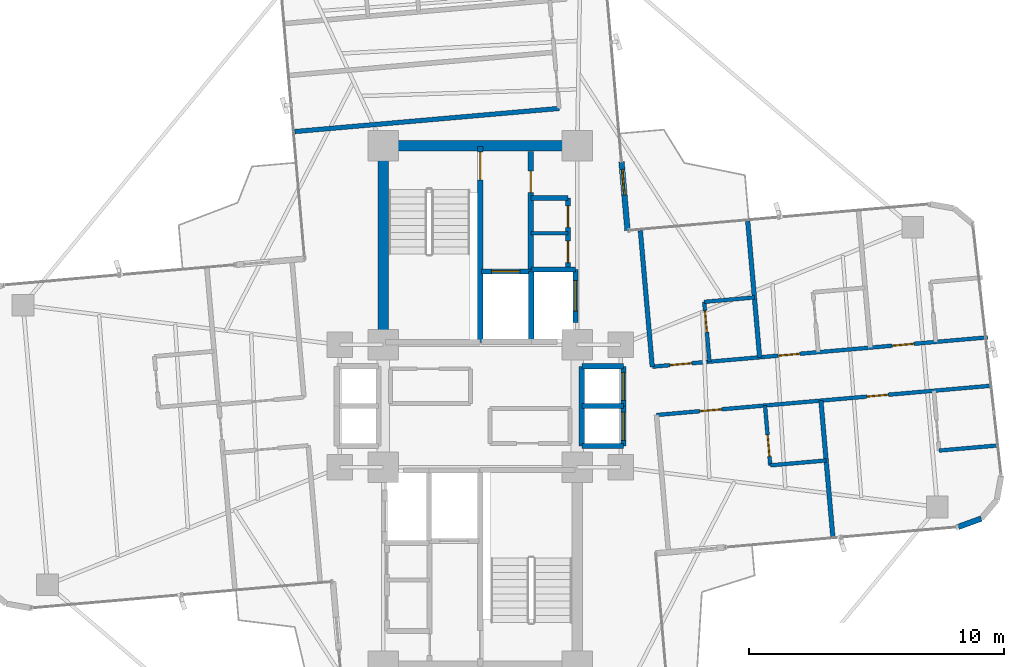
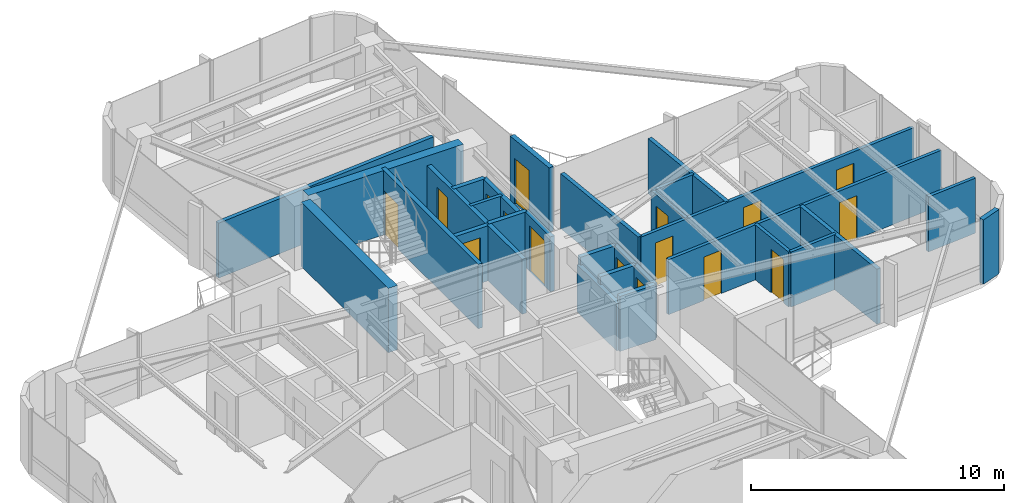
# One storey, part 22 of 24: 30 walls, 16 doors, 16 openings.
"""IFC4 building model written with IfcOpenShell, lengths in metres."""

from ifc_helpers import new_model, si_unit, direction, frame, frame_2d, origin, origin_2d, place, context, subcontext, project, spatial, rectangle, extrude, source, transform, mapped, material, layer, layer_set, type_object, element, fill, save


model = new_model("IFC4")

# Units and contexts
model_context = context("Model", 3, precision=1e-05, world=origin(), true_north=direction((0.0, 1.0)))
body_context = subcontext(model_context, "Body", "Model", "MODEL_VIEW")
ifc_project = project(units=[si_unit("LENGTHUNIT", "METRE"), si_unit("AREAUNIT", "SQUARE_METRE"), si_unit("VOLUMEUNIT", "CUBIC_METRE"), si_unit("PLANEANGLEUNIT", "RADIAN"), si_unit("MASSUNIT", "GRAM", prefix="KILO")], contexts=[model_context])

# Site, building, storey
site_placement = place(None, origin())
site = spatial("IfcSite", under=ifc_project, at=site_placement, CompositionType="ELEMENT")
building_placement = place(site_placement, origin())
building = spatial("IfcBuilding", under=site, at=building_placement, Name="Sahyath Konkavel Grand Hotel", CompositionType="ELEMENT")
storey_placement = place(building_placement, frame((0.0, 0.0, 191.949951171875)))
storey = spatial("IfcBuildingStorey", under=building, at=storey_placement, Name="L53", CompositionType="ELEMENT", Elevation=191.949951171875)

# Walls
ifc_material_1 = material(Name="Concrete C50/60", Category="concrete")
ifc_layer_1 = layer(ifc_material_1, 0.419921875)
ifc_layer_set_1 = layer_set([ifc_layer_1], Name="Concrete C50/60")
wall_type_1 = type_object("IfcWallType", Name="CWALL-420", PredefinedType="SHEAR", material=ifc_layer_set_1)
wall_1_placement = place(storey_placement, frame((-3.550048828125, 10.199951171875, 0.0), z_axis=(0.0, 0.0, 1.0), x_axis=(1.0, 0.0, 0.0)))
element("IfcWall", 1, at=wall_1_placement, inside=storey, type_object=wall_type_1, Name="L53 North Core Shear Wall N", PredefinedType="SHEAR", context=body_context, shape_type="SweptSolid", body=[
    extrude(rectangle(XDim=7.10009765625, YDim=0.419921875, at=frame_2d((3.550048828125, 0.0))), origin(), (0.0, 0.0, 1.0), 3.110107421875),
])
wall_2_placement = place(storey_placement, frame((-3.800048828125, 2.85009765625, 0.0), z_axis=(0.0, 0.0, 1.0), x_axis=(0.0, 1.0, 0.0)))
element("IfcWall", 2, at=wall_2_placement, inside=storey, type_object=wall_type_1, Name="L53 North Core Shear Wall W", PredefinedType="SHEAR", context=body_context, shape_type="SweptSolid", body=[
    extrude(rectangle(XDim=6.89990234375, YDim=0.419921875, at=frame_2d((3.449951171875, 0.0))), origin(), (0.0, 0.0, 1.0), 3.110107421875),
])
ifc_material_2 = material(Name="Warm Buff Sandstone Insulated Concrete C40/50", Category="masonry")
ifc_layer_2 = layer(ifc_material_2, 0.219970703125)
ifc_layer_set_2 = layer_set([ifc_layer_2], Name="Warm Buff Sandstone Insulated Concrete C40/50")
wall_type_2 = type_object("IfcWallType", Name="WLL-BALC-THRESH", PredefinedType="STANDARD", material=ifc_layer_set_2)
wall_3_placement = place(storey_placement, frame((18.73388671875, -4.735107421875, 0.0), z_axis=(0.0, 0.0, 1.0), x_axis=(0.939741306239, 0.34188635151, 0.0)))
element("IfcWall", 3, at=wall_3_placement, inside=storey, type_object=wall_type_2, Name="L53 Rounded Corner Sandstone Pier 1", PredefinedType="STANDARD", context=body_context, shape_type="SweptSolid", body=[
    extrude(rectangle(XDim=0.95751953125, YDim=0.219970703125, at=frame_2d((0.478759765625, 0.0))), origin(), (0.0, 0.0, 1.0), 3.110107421875),
])

# Wall, opening, door
wall_4_placement = place(storey_placement, frame((5.7724609375, 6.87939453125, 0.0), z_axis=(0.0, 0.0, 1.0), x_axis=(-0.087168071984, 0.996193619346, 0.0)))
wall_4 = element("IfcWall", 4, at=wall_4_placement, inside=storey, type_object=wall_type_2, Name="L53 Winter-Garden Threshold Wall 8", PredefinedType="STANDARD", context=body_context, shape_type="SweptSolid", body=[
    extrude(rectangle(XDim=2.699951171875, YDim=0.219970703125, at=frame_2d((1.35009765625, 0.0))), origin(), (0.0, 0.0, 1.0), 3.110107421875),
])
opening_1_placement = place(wall_4_placement, frame((1.39990234375, 0.0, 0.0)))
opening_1 = element("IfcOpeningElement", 5, at=opening_1_placement, cuts=wall_4, Name="Opening D-TR1", PredefinedType="OPENING", context=body_context, shape_type="SweptSolid", body=[
    extrude(rectangle(XDim=1.0, YDim=2.199951171875, at=frame_2d((0.5, 1.10009765625))), frame((0.0, 0.1201171875, 0.0), z_axis=(0.0, -1.0, 0.0), x_axis=(1.0, 0.0, 0.0)), (0.0, 0.0, 1.0), 0.239990234375),
])
ifc_material_3 = material(Name="Anodised Bronze Aluminium & Low-E Glazing", Category="aluminium")
door_type_1 = type_object("IfcDoorType", Name="DR-TERRACE-1000", OperationType="NOTDEFINED", PredefinedType="DOOR", material=ifc_material_3)
shared_shape_1 = source(origin(), body_context, "Body", "SweptSolid", [
    extrude(rectangle(XDim=1.0, YDim=0.050048828125, at=origin_2d()), origin(), (0.0, 0.0, 1.0), 2.199951171875),
])
door_1_placement = place(opening_1_placement, frame((0.5, 0.0, 0.0)))
door_1 = element("IfcDoor", 6, at=door_1_placement, inside=storey, type_object=door_type_1, Name="L53 Winter-Garden Terrace Door 8", OperationType="SINGLE_SWING_LEFT", OverallHeight=2.199951171875, OverallWidth=1.0, PredefinedType="DOOR", context=body_context, shape_type="MappedRepresentation", body=[
    mapped(shared_shape_1, transform((0.0, 0.0, 0.0), scale=1.0)),
])
fill(opening_1, door_1)

ifc_material_4 = material(Name="Concrete C40/50", Category="concrete")
ifc_layer_3 = layer(ifc_material_4, 0.199951171875)
ifc_layer_set_3 = layer_set([ifc_layer_3], Name="Concrete C40/50")
wall_type_3 = type_object("IfcWallType", Name="WLL-CORE-200", PredefinedType="SOLIDWALL", material=ifc_layer_set_3)
wall_5_placement = place(storey_placement, frame((0.0, 2.5, 0.0), z_axis=(0.0, 0.0, 1.0), x_axis=(0.0, 1.0, 0.0)))
wall_5 = element("IfcWall", 7, at=wall_5_placement, inside=storey, type_object=wall_type_3, Name="L53 Stair ST-1 Shaft Wall E", PredefinedType="SOLIDWALL", context=body_context, shape_type="SweptSolid", body=[
    extrude(rectangle(XDim=7.679931640625, YDim=0.199951171875, at=frame_2d((3.83984375, 0.0))), origin(), (0.0, 0.0, 1.0), 3.110107421875),
])
opening_2_placement = place(wall_5_placement, frame((6.360107421875, 0.0, 0.0)))
opening_2 = element("IfcOpeningElement", 8, at=opening_2_placement, cuts=wall_5, Name="Opening D-F12B", PredefinedType="OPENING", context=body_context, shape_type="SweptSolid", body=[
    extrude(rectangle(XDim=1.10009765625, YDim=2.14990234375, at=frame_2d((0.550048828125, 1.074951171875))), frame((0.0, 0.10986328125, 0.0), z_axis=(0.0, -1.0, 0.0), x_axis=(1.0, 0.0, 0.0)), (0.0, 0.0, 1.0), 0.219970703125),
])
ifc_material_5 = material(Name="Steel E350 Smokeproof Fire Door", Category="steel")
door_type_2 = type_object("IfcDoorType", Name="DR-FD120-1100", OperationType="NOTDEFINED", PredefinedType="DOOR", material=ifc_material_5)
shared_shape_2 = source(origin(), body_context, "Body", "SweptSolid", [
    extrude(rectangle(XDim=1.10009765625, YDim=0.050048828125, at=origin_2d()), origin(), (0.0, 0.0, 1.0), 2.14990234375),
])
door_2_placement = place(opening_2_placement, frame((0.550048828125, 0.0, 0.0)))
door_2 = element("IfcDoor", 9, at=door_2_placement, inside=storey, type_object=door_type_2, Name="L53 Stair ST-1 Fire Door", OperationType="SINGLE_SWING_LEFT", OverallHeight=2.14990234375, OverallWidth=1.10009765625, PredefinedType="DOOR", context=body_context, shape_type="MappedRepresentation", body=[
    mapped(shared_shape_2, transform((0.0, 0.0, 0.0), scale=1.0)),
])
fill(opening_2, door_2)

wall_6_placement = place(storey_placement, frame((1.97998046875, 5.320068359375, 0.0), z_axis=(0.0, 0.0, 1.0), x_axis=(0.0, 1.0, 0.0)))
wall_6 = element("IfcWall", 10, at=wall_6_placement, inside=storey, type_object=wall_type_3, Name="L53 North Firefighting Lobby Wall E", PredefinedType="SOLIDWALL", context=body_context, shape_type="SweptSolid", body=[
    extrude(rectangle(XDim=4.659912109375, YDim=0.199951171875, at=frame_2d((2.330078125, 0.0))), origin(), (0.0, 0.0, 1.0), 2.66015625),
])
opening_3_placement = place(wall_6_placement, frame((3.0400390625, 0.0, 0.0)))
opening_3 = element("IfcOpeningElement", 11, at=opening_3_placement, cuts=wall_6, Name="Opening D-F12D", PredefinedType="OPENING", context=body_context, shape_type="SweptSolid", body=[
    extrude(rectangle(XDim=0.85009765625, YDim=2.10009765625, at=frame_2d((0.425048828125, 1.050048828125))), frame((0.0, 0.10986328125, 0.0), z_axis=(0.0, -1.0, 0.0), x_axis=(1.0, 0.0, 0.0)), (0.0, 0.0, 1.0), 0.219970703125),
])
ifc_material_6 = material(Name="Steel E350 Core Fire Door", Category="steel")
door_type_3 = type_object("IfcDoorType", Name="DR-FD120-850", OperationType="NOTDEFINED", PredefinedType="DOOR", material=ifc_material_6)
shared_shape_3 = source(origin(), body_context, "Body", "SweptSolid", [
    extrude(rectangle(XDim=0.85009765625, YDim=0.050048828125, at=origin_2d()), origin(), (0.0, 0.0, 1.0), 2.10009765625),
])
door_3_placement = place(opening_3_placement, frame((0.425048828125, 0.0, 0.0)))
door_3 = element("IfcDoor", 12, at=door_3_placement, inside=storey, type_object=door_type_3, Name="L53 North Firefighting Lobby Door", OperationType="SINGLE_SWING_LEFT", OverallHeight=2.10009765625, OverallWidth=0.85009765625, PredefinedType="DOOR", context=body_context, shape_type="MappedRepresentation", body=[
    mapped(shared_shape_3, transform((0.0, 0.0, 0.0), scale=1.0)),
])
fill(opening_3, door_3)

# Wall
wall_7_placement = place(storey_placement, frame((2.0, 2.5, 0.0), z_axis=(0.0, 0.0, 1.0), x_axis=(0.0, 1.0, 0.0)))
element("IfcWall", 13, at=wall_7_placement, inside=storey, type_object=wall_type_3, Name="L53 Partition SH-FFL1-E", PredefinedType="SOLIDWALL", context=body_context, shape_type="SweptSolid", body=[
    extrude(rectangle(XDim=2.780029296875, YDim=0.199951171875, at=frame_2d((1.39013671875, 0.0))), origin(), (0.0, 0.0, 1.0), 2.66015625),
])

# Wall, opening, door
wall_8_placement = place(storey_placement, frame((0.050048828125, 5.280029296875, 0.0), z_axis=(0.0, 0.0, 1.0), x_axis=(1.0, 0.0, 0.0)))
wall_8 = element("IfcWall", 14, at=wall_8_placement, inside=storey, type_object=wall_type_3, Name="L53 Partition SH-FFL1-N", PredefinedType="SOLIDWALL", context=body_context, shape_type="SweptSolid", body=[
    extrude(rectangle(XDim=1.929931640625, YDim=0.199951171875, at=frame_2d((0.96484375, 0.0))), origin(), (0.0, 0.0, 1.0), 2.66015625),
])
opening_4_placement = place(wall_8_placement, frame((0.39990234375, 0.0, 0.0)))
opening_4 = element("IfcOpeningElement", 15, at=opening_4_placement, cuts=wall_8, Name="Opening LD-11", PredefinedType="OPENING", context=body_context, shape_type="SweptSolid", body=[
    extrude(rectangle(XDim=1.10009765625, YDim=2.199951171875, at=frame_2d((0.550048828125, 1.10009765625))), frame((0.0, 0.10986328125, 0.0), z_axis=(0.0, -1.0, 0.0), x_axis=(1.0, 0.0, 0.0)), (0.0, 0.0, 1.0), 0.219970703125),
])
ifc_material_7 = material(Name="Bronze Lift Landing Door 1100")
door_type_4 = type_object("IfcDoorType", Name="DR-LIFT-1100", OperationType="DOUBLE_DOOR_SLIDING", PredefinedType="DOOR", material=ifc_material_7)
shared_shape_4 = source(origin(), body_context, "Body", "SweptSolid", [
    extrude(rectangle(XDim=1.10009765625, YDim=0.050048828125, at=origin_2d()), origin(), (0.0, 0.0, 1.0), 2.199951171875),
])
door_4_placement = place(opening_4_placement, frame((0.550048828125, 0.0, 0.0)))
door_4 = element("IfcDoor", 16, at=door_4_placement, inside=storey, type_object=door_type_4, Name="L53 Lift FFL-1 Landing Door", OperationType="DOUBLE_DOOR_SLIDING", OverallHeight=2.199951171875, OverallWidth=1.10009765625, PredefinedType="DOOR", context=body_context, shape_type="MappedRepresentation", body=[
    mapped(shared_shape_4, transform((0.0, 0.0, 0.0), scale=1.0)),
])
fill(opening_4, door_4)

# Wall
wall_9_placement = place(storey_placement, frame((2.0, 5.360107421875, 0.0), z_axis=(0.0, 0.0, 1.0), x_axis=(1.0, 0.0, 0.0)))
element("IfcWall", 17, at=wall_9_placement, inside=storey, type_object=wall_type_3, Name="L53 Partition SH-SVL1-N", PredefinedType="SOLIDWALL", context=body_context, shape_type="SweptSolid", body=[
    extrude(rectangle(XDim=1.739990234375, YDim=0.199951171875, at=frame_2d((0.8701171875, 0.0))), origin(), (0.0, 0.0, 1.0), 2.66015625),
])

# Wall, opening, door
wall_10_placement = place(storey_placement, frame((3.739990234375, 3.280029296875, 0.0), z_axis=(0.0, 0.0, 1.0), x_axis=(0.0, 1.0, 0.0)))
wall_10 = element("IfcWall", 18, at=wall_10_placement, inside=storey, type_object=wall_type_3, Name="L53 Partition SH-SVL1-E", PredefinedType="SOLIDWALL", context=body_context, shape_type="SweptSolid", body=[
    extrude(rectangle(XDim=2.080078125, YDim=0.199951171875, at=frame_2d((1.0400390625, 0.0))), origin(), (0.0, 0.0, 1.0), 2.66015625),
])
opening_5_placement = place(wall_10_placement, frame((0.43994140625, 0.0, 0.0)))
opening_5 = element("IfcOpeningElement", 19, at=opening_5_placement, cuts=wall_10, Name="Opening LD-12", PredefinedType="OPENING", context=body_context, shape_type="SweptSolid", body=[
    extrude(rectangle(XDim=1.199951171875, YDim=2.199951171875, at=frame_2d((0.60009765625, 1.10009765625))), frame((0.0, 0.10986328125, 0.0), z_axis=(0.0, -1.0, 0.0), x_axis=(1.0, 0.0, 0.0)), (0.0, 0.0, 1.0), 0.219970703125),
])
ifc_material_8 = material(Name="Stainless Steel Lift Landing Door 1200", Category="steel")
door_type_5 = type_object("IfcDoorType", Name="DR-LIFT-1200", OperationType="DOUBLE_DOOR_SLIDING", PredefinedType="DOOR", material=ifc_material_8)
shared_shape_5 = source(origin(), body_context, "Body", "SweptSolid", [
    extrude(rectangle(XDim=1.199951171875, YDim=0.050048828125, at=origin_2d()), origin(), (0.0, 0.0, 1.0), 2.199951171875),
])
door_5_placement = place(opening_5_placement, frame((0.60009765625, 0.0, 0.0)))
door_5 = element("IfcDoor", 20, at=door_5_placement, inside=storey, type_object=door_type_5, Name="L53 Service Lift SVL-1 Landing Door", OperationType="DOUBLE_DOOR_SLIDING", OverallHeight=2.199951171875, OverallWidth=1.199951171875, PredefinedType="DOOR", context=body_context, shape_type="MappedRepresentation", body=[
    mapped(shared_shape_5, transform((0.0, 0.0, 0.0), scale=1.0)),
])
fill(opening_5, door_5)

# Walls
wall_11_placement = place(storey_placement, frame((3.97998046875, -1.56005859375, 0.0), z_axis=(0.0, 0.0, 1.0), x_axis=(0.0, 1.0, 0.0)))
element("IfcWall", 21, at=wall_11_placement, inside=storey, type_object=wall_type_3, Name="L53 Partition SH-PL56-W", PredefinedType="SOLIDWALL", context=body_context, shape_type="SweptSolid", body=[
    extrude(rectangle(XDim=3.1201171875, YDim=0.199951171875, at=frame_2d((1.56005859375, 0.0))), origin(), (0.0, 0.0, 1.0), 2.280029296875),
])
for number, where, z_axis, x_axis, name in (
    (22, (3.97998046875, 1.56005859375, 0.0), (0.0, 0.0, 1.0), (1.0, 0.0, 0.0), "L53 Partition SH-PL56-N"),
    (23, (3.97998046875, -1.56005859375, 0.0), (0.0, 0.0, 1.0), (1.0, 0.0, 0.0), "L53 Partition SH-PL56-S"),
    (24, (3.97998046875, 0.0, 0.0), (0.0, 0.0, 1.0), (1.0, 0.0, 0.0), "L53 Partition SH-PL56-M"),
):
    element("IfcWall", number, at=place(storey_placement, frame(where, z_axis=z_axis, x_axis=x_axis)), inside=storey, type_object=wall_type_3, Name=name, PredefinedType="SOLIDWALL", context=body_context, shape_type="SweptSolid", body=[
        extrude(rectangle(XDim=1.64013671875, YDim=0.199951171875, at=frame_2d((0.820068359375, 0.0))), origin(), (0.0, 0.0, 1.0), 2.66015625),
    ])

# Wall, opening, door
wall_12_placement = place(storey_placement, frame((5.6201171875, 0.0, 0.0), z_axis=(0.0, 0.0, 1.0), x_axis=(0.0, 1.0, 0.0)))
wall_12 = element("IfcWall", 25, at=wall_12_placement, inside=storey, type_object=wall_type_3, Name="L53 Partition SH-PL5-E", PredefinedType="SOLIDWALL", context=body_context, shape_type="SweptSolid", body=[
    extrude(rectangle(XDim=1.56005859375, YDim=0.199951171875, at=frame_2d((0.780029296875, 0.0))), origin(), (0.0, 0.0, 1.0), 2.66015625),
])
opening_6_placement = place(wall_12_placement, frame((0.219970703125, 0.0, 0.0)))
opening_6 = element("IfcOpeningElement", 26, at=opening_6_placement, cuts=wall_12, Name="Opening LD-11", PredefinedType="OPENING", context=body_context, shape_type="SweptSolid", body=[
    extrude(rectangle(XDim=1.10009765625, YDim=2.199951171875, at=frame_2d((0.550048828125, 1.10009765625))), frame((0.0, 0.10986328125, 0.0), z_axis=(0.0, -1.0, 0.0), x_axis=(1.0, 0.0, 0.0)), (0.0, 0.0, 1.0), 0.219970703125),
])
door_6_placement = place(opening_6_placement, frame((0.550048828125, 0.0, 0.0)))
door_6 = element("IfcDoor", 27, at=door_6_placement, inside=storey, type_object=door_type_4, Name="L53 High-Rise Lift PL-5 Landing Door", OperationType="DOUBLE_DOOR_SLIDING", OverallHeight=2.199951171875, OverallWidth=1.10009765625, PredefinedType="DOOR", context=body_context, shape_type="MappedRepresentation", body=[
    mapped(shared_shape_4, transform((0.0, 0.0, 0.0), scale=1.0)),
])
fill(opening_6, door_6)

wall_13_placement = place(storey_placement, frame((5.6201171875, -1.56005859375, 0.0), z_axis=(0.0, 0.0, 1.0), x_axis=(0.0, 1.0, 0.0)))
wall_13 = element("IfcWall", 28, at=wall_13_placement, inside=storey, type_object=wall_type_3, Name="L53 Partition SH-PL6-E", PredefinedType="SOLIDWALL", context=body_context, shape_type="SweptSolid", body=[
    extrude(rectangle(XDim=1.56005859375, YDim=0.199951171875, at=frame_2d((0.780029296875, 0.0))), origin(), (0.0, 0.0, 1.0), 2.66015625),
])
opening_7_placement = place(wall_13_placement, frame((0.219970703125, 0.0, 0.0)))
opening_7 = element("IfcOpeningElement", 29, at=opening_7_placement, cuts=wall_13, Name="Opening LD-11", PredefinedType="OPENING", context=body_context, shape_type="SweptSolid", body=[
    extrude(rectangle(XDim=1.10009765625, YDim=2.199951171875, at=frame_2d((0.550048828125, 1.10009765625))), frame((0.0, 0.10986328125, 0.0), z_axis=(0.0, -1.0, 0.0), x_axis=(1.0, 0.0, 0.0)), (0.0, 0.0, 1.0), 0.219970703125),
])
door_7_placement = place(opening_7_placement, frame((0.550048828125, 0.0, 0.0)))
door_7 = element("IfcDoor", 30, at=door_7_placement, inside=storey, type_object=door_type_4, Name="L53 High-Rise Lift PL-6 Landing Door", OperationType="DOUBLE_DOOR_SLIDING", OverallHeight=2.199951171875, OverallWidth=1.10009765625, PredefinedType="DOOR", context=body_context, shape_type="MappedRepresentation", body=[
    mapped(shared_shape_4, transform((0.0, 0.0, 0.0), scale=1.0)),
])
fill(opening_7, door_7)

# Wall, openings, doors
wall_14_placement = place(storey_placement, frame((3.43994140625, 5.3798828125, 0.0), z_axis=(0.0, 0.0, 1.0), x_axis=(0.0, 1.0, 0.0)))
wall_14 = element("IfcWall", 31, at=wall_14_placement, inside=storey, type_object=wall_type_3, Name="L53 Reclaimed North Core Wall E", PredefinedType="SOLIDWALL", context=body_context, shape_type="SweptSolid", body=[
    extrude(rectangle(XDim=2.77001953125, YDim=0.199951171875, at=frame_2d((1.385009765625, 0.0))), origin(), (0.0, 0.0, 1.0), 2.66015625),
])
opening_8_placement = place(wall_14_placement, frame((0.239990234375, 0.0, 0.0)))
opening_8 = element("IfcOpeningElement", 32, at=opening_8_placement, cuts=wall_14, Name="Opening D-F06D", PredefinedType="OPENING", context=body_context, shape_type="SweptSolid", body=[
    extrude(rectangle(XDim=0.85009765625, YDim=2.10009765625, at=frame_2d((0.425048828125, 1.050048828125))), frame((0.0, 0.10986328125, 0.0), z_axis=(0.0, -1.0, 0.0), x_axis=(1.0, 0.0, 0.0)), (0.0, 0.0, 1.0), 0.219970703125),
])
opening_9_placement = place(wall_14_placement, frame((1.6201171875, 0.0, 0.0)))
opening_9 = element("IfcOpeningElement", 33, at=opening_9_placement, cuts=wall_14, Name="Opening D-F06D", PredefinedType="OPENING", context=body_context, shape_type="SweptSolid", body=[
    extrude(rectangle(XDim=0.85009765625, YDim=2.10009765625, at=frame_2d((0.425048828125, 1.050048828125))), frame((0.0, 0.10986328125, 0.0), z_axis=(0.0, -1.0, 0.0), x_axis=(1.0, 0.0, 0.0)), (0.0, 0.0, 1.0), 0.219970703125),
])
ifc_material_9 = material(Name="Fire-Rated Shaft Access Door")
door_type_6 = type_object("IfcDoorType", Name="DR-FD60-850", OperationType="NOTDEFINED", PredefinedType="DOOR", material=ifc_material_9)
door_8_placement = place(opening_8_placement, frame((0.425048828125, 0.0, 0.0)))
door_8 = element("IfcDoor", 34, at=door_8_placement, inside=storey, type_object=door_type_6, Name="L53 Door NC-REC1-D", OperationType="SINGLE_SWING_LEFT", OverallHeight=2.10009765625, OverallWidth=0.85009765625, PredefinedType="DOOR", context=body_context, shape_type="MappedRepresentation", body=[
    mapped(shared_shape_3, transform((0.0, 0.0, 0.0), scale=1.0)),
])
fill(opening_8, door_8)
door_9_placement = place(opening_9_placement, frame((0.425048828125, 0.0, 0.0)))
door_9 = element("IfcDoor", 35, at=door_9_placement, inside=storey, type_object=door_type_6, Name="L53 Door NC-REC2-D", OperationType="SINGLE_SWING_RIGHT", OverallHeight=2.10009765625, OverallWidth=0.85009765625, PredefinedType="DOOR", context=body_context, shape_type="MappedRepresentation", body=[
    mapped(shared_shape_3, transform((0.0, 0.0, 0.0), scale=1.0)),
])
fill(opening_9, door_9)

# Walls
wall_15_placement = place(storey_placement, frame((1.97998046875, 8.14990234375, 0.0), z_axis=(0.0, 0.0, 1.0), x_axis=(1.0, 0.0, 0.0)))
element("IfcWall", 36, at=wall_15_placement, inside=storey, type_object=wall_type_3, Name="L53 Partition NC-REC-N", PredefinedType="SOLIDWALL", context=body_context, shape_type="SweptSolid", body=[
    extrude(rectangle(XDim=1.4599609375, YDim=0.199951171875, at=frame_2d((0.72998046875, 0.0))), origin(), (0.0, 0.0, 1.0), 2.66015625),
])
ifc_material_10 = material(Name="Twin-Stud Acoustic Gypsum Plasterboard Partition")
ifc_layer_4 = layer(ifc_material_10, 0.179931640625)
ifc_layer_set_4 = layer_set([ifc_layer_4], Name="Twin-Stud Acoustic Gypsum Plasterboard Partition")
wall_type_4 = type_object("IfcWallType", Name="WLL-DEMISE-180", PredefinedType="PARTITIONING", material=ifc_layer_set_4)
for number, where, z_axis, x_axis, name in (
    (37, (6.7412109375, 1.54345703125, 0.0), (0.0, 0.0, 1.0), (-0.087161289348, 0.996194212812, 0.0), "L53 Partition E-INL"),
    (38, (10.94921875, 1.91162109375, 0.0), (0.0, 0.0, 1.0), (-0.087161289348, 0.996194212812, 0.0), "L53 Partition E-E1L-DEM"),
    (39, (13.35009765625, 0.21435546875, 0.0), (0.0, 0.0, 1.0), (0.087161289348, -0.996194212812, 0.0), "L53 Partition E-E1R-DEM"),
):
    element("IfcWall", number, at=place(storey_placement, frame(where, z_axis=z_axis, x_axis=x_axis)), inside=storey, type_object=wall_type_4, Name=name, PredefinedType="PARTITIONING", context=body_context, shape_type="SweptSolid", body=[
        extrude(rectangle(XDim=5.349853515625, YDim=0.179931640625, at=frame_2d((2.6748046875, 0.0))), origin(), (0.0, 0.0, 1.0), 2.66015625),
    ])
wall_16_placement = place(storey_placement, frame((3.09521484375, 11.6640625, 0.0), z_axis=(0.0, 0.0, 1.0), x_axis=(-0.996196061386, -0.087140158824, 0.0)))
element("IfcWall", 40, at=wall_16_placement, inside=storey, type_object=wall_type_4, Name="L53 Partition N-G6I", PredefinedType="PARTITIONING", context=body_context, shape_type="SweptSolid", body=[
    extrude(rectangle(XDim=10.39990234375, YDim=0.179931640625, at=frame_2d((5.199951171875, 0.0))), origin(), (0.0, 0.0, 1.0), 2.66015625),
])
ifc_material_11 = material(Name="Fire-Rated Gypsum Plasterboard Partition")
ifc_layer_5 = layer(ifc_material_11, 0.14990234375)
ifc_layer_set_5 = layer_set([ifc_layer_5], Name="Fire-Rated Gypsum Plasterboard Partition")
wall_type_5 = type_object("IfcWallType", Name="WLL-PART-150", PredefinedType="PARTITIONING", material=ifc_layer_set_5)
wall_17_placement = place(storey_placement, frame((1.97998046875, 6.77001953125, 0.0), z_axis=(0.0, 0.0, 1.0), x_axis=(1.0, 0.0, 0.0)))
element("IfcWall", 41, at=wall_17_placement, inside=storey, type_object=wall_type_5, Name="L53 Partition NC-REC-M1", PredefinedType="PARTITIONING", context=body_context, shape_type="SweptSolid", body=[
    extrude(rectangle(XDim=1.4599609375, YDim=0.14990234375, at=frame_2d((0.72998046875, 0.0))), origin(), (0.0, 0.0, 1.0), 2.66015625),
])

# Wall, openings, doors
wall_18_placement = place(storey_placement, frame((6.7412109375, 1.54345703125, 0.0), z_axis=(0.0, 0.0, 1.0), x_axis=(0.996195062465, 0.087151577845, 0.0)))
wall_18 = element("IfcWall", 42, at=wall_18_placement, inside=storey, type_object=wall_type_5, Name="L53 Partition E-CL", PredefinedType="PARTITIONING", context=body_context, shape_type="SweptSolid", body=[
    extrude(rectangle(XDim=13.199951171875, YDim=0.14990234375, at=frame_2d((6.60009765625, 0.0))), origin(), (0.0, 0.0, 1.0), 2.66015625),
])
opening_10_placement = place(wall_18_placement, frame((0.699951171875, 0.0, 0.0)))
opening_10 = element("IfcOpeningElement", 43, at=opening_10_placement, cuts=wall_18, Name="Opening D-F06D", PredefinedType="OPENING", context=body_context, shape_type="SweptSolid", body=[
    extrude(rectangle(XDim=0.85009765625, YDim=2.10009765625, at=frame_2d((0.425048828125, 1.050048828125))), frame((0.0, 0.0849609375, 0.0), z_axis=(0.0, -1.0, 0.0), x_axis=(1.0, 0.0, 0.0)), (0.0, 0.0, 1.0), 0.169921875),
])
opening_11_placement = place(wall_18_placement, frame((4.951904296875, 0.0, 0.0)))
opening_11 = element("IfcOpeningElement", 44, at=opening_11_placement, cuts=wall_18, Name="Opening D-F06D", PredefinedType="OPENING", context=body_context, shape_type="SweptSolid", body=[
    extrude(rectangle(XDim=0.85009765625, YDim=2.10009765625, at=frame_2d((0.425048828125, 1.050048828125))), frame((0.0, 0.0849609375, 0.0), z_axis=(0.0, -1.0, 0.0), x_axis=(1.0, 0.0, 0.0)), (0.0, 0.0, 1.0), 0.169921875),
])
opening_12_placement = place(wall_18_placement, frame((9.43994140625, 0.0, 0.0)))
opening_12 = element("IfcOpeningElement", 45, at=opening_12_placement, cuts=wall_18, Name="Opening D-F06D", PredefinedType="OPENING", context=body_context, shape_type="SweptSolid", body=[
    extrude(rectangle(XDim=0.85009765625, YDim=2.10009765625, at=frame_2d((0.425048828125, 1.050048828125))), frame((0.0, 0.0849609375, 0.0), z_axis=(0.0, -1.0, 0.0), x_axis=(1.0, 0.0, 0.0)), (0.0, 0.0, 1.0), 0.169921875),
])
door_10_placement = place(opening_10_placement, frame((0.425048828125, 0.0, 0.0)))
door_10 = element("IfcDoor", 46, at=door_10_placement, inside=storey, type_object=door_type_6, Name="L53 Door E-E1L-ED", OperationType="SINGLE_SWING_RIGHT", OverallHeight=2.10009765625, OverallWidth=0.85009765625, PredefinedType="DOOR", context=body_context, shape_type="MappedRepresentation", body=[
    mapped(shared_shape_3, transform((0.0, 0.0, 0.0), scale=1.0)),
])
fill(opening_10, door_10)
door_11_placement = place(opening_11_placement, frame((0.425048828125, 0.0, 0.0)))
door_11 = element("IfcDoor", 47, at=door_11_placement, inside=storey, type_object=door_type_6, Name="L53 Door E-E2L-ED", OperationType="SINGLE_SWING_RIGHT", OverallHeight=2.10009765625, OverallWidth=0.85009765625, PredefinedType="DOOR", context=body_context, shape_type="MappedRepresentation", body=[
    mapped(shared_shape_3, transform((0.0, 0.0, 0.0), scale=1.0)),
])
fill(opening_11, door_11)
door_12_placement = place(opening_12_placement, frame((0.425048828125, 0.0, 0.0)))
door_12 = element("IfcDoor", 48, at=door_12_placement, inside=storey, type_object=door_type_6, Name="L53 Door E-E3L-ED", OperationType="SINGLE_SWING_RIGHT", OverallHeight=2.10009765625, OverallWidth=0.85009765625, PredefinedType="DOOR", context=body_context, shape_type="MappedRepresentation", body=[
    mapped(shared_shape_3, transform((0.0, 0.0, 0.0), scale=1.0)),
])
fill(opening_12, door_12)

wall_19_placement = place(storey_placement, frame((6.90673828125, -0.349365234375, 0.0), z_axis=(0.0, 0.0, 1.0), x_axis=(0.996195062465, 0.087151577845, 0.0)))
wall_19 = element("IfcWall", 49, at=wall_19_placement, inside=storey, type_object=wall_type_5, Name="L53 Partition E-CR", PredefinedType="PARTITIONING", context=body_context, shape_type="SweptSolid", body=[
    extrude(rectangle(XDim=13.199951171875, YDim=0.14990234375, at=frame_2d((6.60009765625, 0.0))), origin(), (0.0, 0.0, 1.0), 2.66015625),
])
opening_13_placement = place(wall_19_placement, frame((1.7099609375, 0.0, 0.0)))
opening_13 = element("IfcOpeningElement", 50, at=opening_13_placement, cuts=wall_19, Name="Opening D-F06D", PredefinedType="OPENING", context=body_context, shape_type="SweptSolid", body=[
    extrude(rectangle(XDim=0.85009765625, YDim=2.10009765625, at=frame_2d((0.425048828125, 1.050048828125))), frame((0.0, 0.0849609375, 0.0), z_axis=(0.0, -1.0, 0.0), x_axis=(1.0, 0.0, 0.0)), (0.0, 0.0, 1.0), 0.169921875),
])
opening_14_placement = place(wall_19_placement, frame((8.263916015625, 0.0, 0.0)))
opening_14 = element("IfcOpeningElement", 51, at=opening_14_placement, cuts=wall_19, Name="Opening D-F06D", PredefinedType="OPENING", context=body_context, shape_type="SweptSolid", body=[
    extrude(rectangle(XDim=0.85009765625, YDim=2.10009765625, at=frame_2d((0.425048828125, 1.050048828125))), frame((0.0, 0.0849609375, 0.0), z_axis=(0.0, -1.0, 0.0), x_axis=(1.0, 0.0, 0.0)), (0.0, 0.0, 1.0), 0.169921875),
])
door_13_placement = place(opening_13_placement, frame((0.425048828125, 0.0, 0.0)))
door_13 = element("IfcDoor", 52, at=door_13_placement, inside=storey, type_object=door_type_6, Name="L53 Door E-E1R-ED", OperationType="SINGLE_SWING_RIGHT", OverallHeight=2.10009765625, OverallWidth=0.85009765625, PredefinedType="DOOR", context=body_context, shape_type="MappedRepresentation", body=[
    mapped(shared_shape_3, transform((0.0, 0.0, 0.0), scale=1.0)),
])
fill(opening_13, door_13)
door_14_placement = place(opening_14_placement, frame((0.425048828125, 0.0, 0.0)))
door_14 = element("IfcDoor", 53, at=door_14_placement, inside=storey, type_object=door_type_6, Name="L53 Door E-E2R-ED", OperationType="SINGLE_SWING_RIGHT", OverallHeight=2.10009765625, OverallWidth=0.85009765625, PredefinedType="DOOR", context=body_context, shape_type="MappedRepresentation", body=[
    mapped(shared_shape_3, transform((0.0, 0.0, 0.0), scale=1.0)),
])
fill(opening_14, door_14)

# Wall, opening, door
wall_20_placement = place(storey_placement, frame((8.982666015625, 1.739501953125, 0.0), z_axis=(0.0, 0.0, 1.0), x_axis=(-0.087224846905, 0.996188649846, 0.0)))
wall_20 = element("IfcWall", 54, at=wall_20_placement, inside=storey, type_object=wall_type_5, Name="L53 Partition E-E1L-BS", PredefinedType="PARTITIONING", context=body_context, shape_type="SweptSolid", body=[
    extrude(rectangle(XDim=2.35400390625, YDim=0.14990234375, at=frame_2d((1.177001953125, 0.0))), origin(), (0.0, 0.0, 1.0), 2.66015625),
])
opening_15_placement = place(wall_20_placement, frame((1.154052734375, 0.0, 0.0)))
opening_15 = element("IfcOpeningElement", 55, at=opening_15_placement, cuts=wall_20, Name="Opening D-BT85", PredefinedType="OPENING", context=body_context, shape_type="SweptSolid", body=[
    extrude(rectangle(XDim=0.85009765625, YDim=2.10009765625, at=frame_2d((0.425048828125, 1.050048828125))), frame((0.0, 0.0849609375, 0.0), z_axis=(0.0, -1.0, 0.0), x_axis=(1.0, 0.0, 0.0)), (0.0, 0.0, 1.0), 0.169921875),
])
ifc_material_12 = material(Name="Moisture-Resistant Teak Bathroom Door")
door_type_7 = type_object("IfcDoorType", Name="DR-BATH-850", OperationType="NOTDEFINED", PredefinedType="DOOR", material=ifc_material_12)
door_15_placement = place(opening_15_placement, frame((0.425048828125, 0.0, 0.0)))
door_15 = element("IfcDoor", 56, at=door_15_placement, inside=storey, type_object=door_type_7, Name="L53 Door E-E1L-BD", OperationType="SINGLE_SWING_LEFT", OverallHeight=2.10009765625, OverallWidth=0.85009765625, PredefinedType="DOOR", context=body_context, shape_type="MappedRepresentation", body=[
    mapped(shared_shape_3, transform((0.0, 0.0, 0.0), scale=1.0)),
])
fill(opening_15, door_15)

# Wall
wall_21_placement = place(storey_placement, frame((8.77734375, 4.08447265625, 0.0), z_axis=(0.0, 0.0, 1.0), x_axis=(0.996191703625, 0.087189962887, 0.0)))
element("IfcWall", 57, at=wall_21_placement, inside=storey, type_object=wall_type_5, Name="L53 Partition E-E1L-BF", PredefinedType="PARTITIONING", context=body_context, shape_type="SweptSolid", body=[
    extrude(rectangle(XDim=1.97412109375, YDim=0.14990234375, at=frame_2d((0.987060546875, 0.0))), origin(), (0.0, 0.0, 1.0), 2.66015625),
])

# Wall, opening, door
wall_22_placement = place(storey_placement, frame((11.159423828125, 0.022705078125, 0.0), z_axis=(0.0, 0.0, 1.0), x_axis=(0.087224846905, -0.996188649846, 0.0)))
wall_22 = element("IfcWall", 58, at=wall_22_placement, inside=storey, type_object=wall_type_5, Name="L53 Partition E-E1R-BS", PredefinedType="PARTITIONING", context=body_context, shape_type="SweptSolid", body=[
    extrude(rectangle(XDim=2.35400390625, YDim=0.14990234375, at=frame_2d((1.177001953125, 0.0))), origin(), (0.0, 0.0, 1.0), 2.66015625),
])
opening_16_placement = place(wall_22_placement, frame((1.154052734375, 0.0, 0.0)))
opening_16 = element("IfcOpeningElement", 59, at=opening_16_placement, cuts=wall_22, Name="Opening D-BT85", PredefinedType="OPENING", context=body_context, shape_type="SweptSolid", body=[
    extrude(rectangle(XDim=0.85009765625, YDim=2.10009765625, at=frame_2d((0.425048828125, 1.050048828125))), frame((0.0, 0.0849609375, 0.0), z_axis=(0.0, -1.0, 0.0), x_axis=(1.0, 0.0, 0.0)), (0.0, 0.0, 1.0), 0.169921875),
])
door_16_placement = place(opening_16_placement, frame((0.425048828125, 0.0, 0.0)))
door_16 = element("IfcDoor", 60, at=door_16_placement, inside=storey, type_object=door_type_7, Name="L53 Door E-E1R-BD", OperationType="SINGLE_SWING_LEFT", OverallHeight=2.10009765625, OverallWidth=0.85009765625, PredefinedType="DOOR", context=body_context, shape_type="MappedRepresentation", body=[
    mapped(shared_shape_3, transform((0.0, 0.0, 0.0), scale=1.0)),
])
fill(opening_16, door_16)

# Walls
wall_23_placement = place(storey_placement, frame((11.36474609375, -2.322265625, 0.0), z_axis=(0.0, 0.0, 1.0), x_axis=(0.996195042958, 0.087151800816, 0.0)))
element("IfcWall", 61, at=wall_23_placement, inside=storey, type_object=wall_type_5, Name="L53 Partition E-E1R-BF", PredefinedType="PARTITIONING", context=body_context, shape_type="SweptSolid", body=[
    extrude(rectangle(XDim=2.198974609375, YDim=0.14990234375, at=frame_2d((1.099609375, 0.0))), origin(), (0.0, 0.0, 1.0), 2.66015625),
])
wall_24_placement = place(storey_placement, frame((17.9814453125, -1.743408203125, 0.0), z_axis=(0.0, 0.0, 1.0), x_axis=(0.996196032585, 0.087140488075, 0.0)))
element("IfcWall", 62, at=wall_24_placement, inside=storey, type_object=wall_type_5, Name="L53 Partition E-E2R-BF", PredefinedType="PARTITIONING", context=body_context, shape_type="SweptSolid", body=[
    extrude(rectangle(XDim=2.2890625, YDim=0.14990234375, at=frame_2d((1.14453125, 0.0))), origin(), (0.0, 0.0, 1.0), 2.66015625),
])

save(model, "model.ifc")
